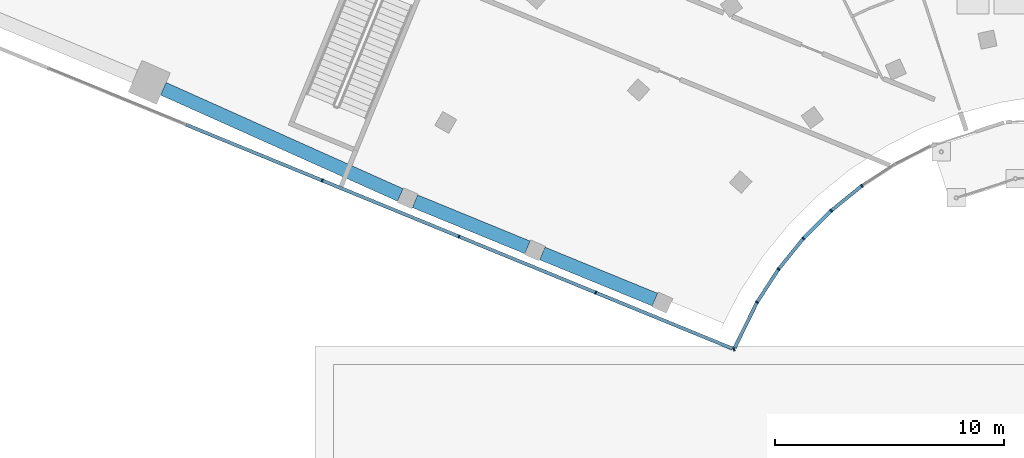
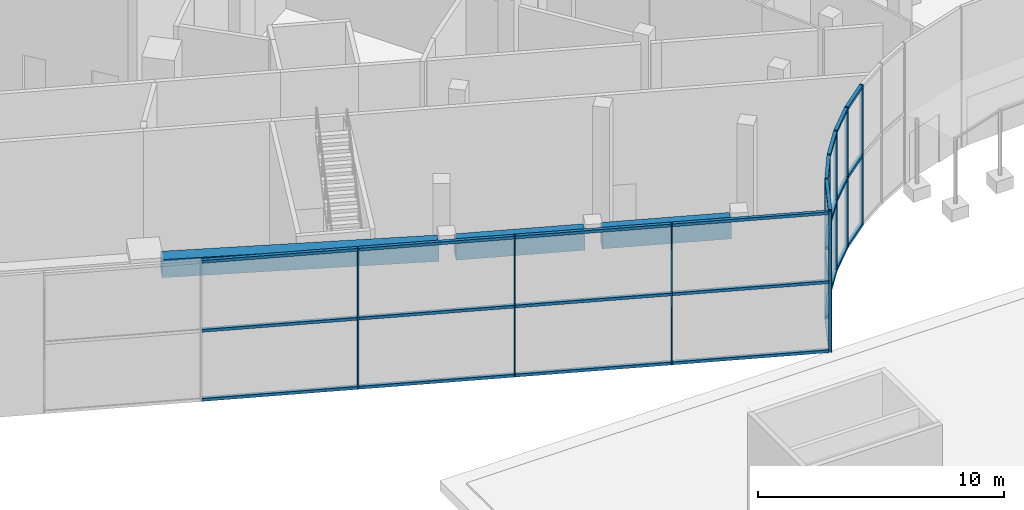
# One storey, part 9 of 60: 36 members, 3 beams, 2 elements without a shape of their own.
"""IFC4 building model written with IfcOpenShell, lengths in metres."""

from ifc_helpers import new_model, si_unit, direction, frame, origin, origin_2d, place, context, subcontext, project, spatial, rectangle, extrude, material, layer, layer_set, material_profile, profile_set, type_object, element, aggregate, save


model = new_model("IFC4")

# Units and contexts
model_context = context("Model", 3, precision=1e-05, world=origin(), true_north=direction((0.0, 1.0)))
body_context = subcontext(model_context, "Body", "Model", "MODEL_VIEW")
ifc_project = project(units=[si_unit("LENGTHUNIT", "METRE"), si_unit("AREAUNIT", "SQUARE_METRE"), si_unit("VOLUMEUNIT", "CUBIC_METRE"), si_unit("PLANEANGLEUNIT", "RADIAN"), si_unit("MASSUNIT", "GRAM", prefix="KILO")], contexts=[model_context])

# Site, building, storey
site_placement = place(None, origin())
site = spatial("IfcSite", under=ifc_project, at=site_placement, CompositionType="ELEMENT")
building_placement = place(site_placement, origin())
building = spatial("IfcBuilding", under=site, at=building_placement, Name="Stone Belt Terrace Tower", CompositionType="ELEMENT")
storey_placement = place(building_placement, origin())
storey = spatial("IfcBuildingStorey", under=building, at=storey_placement, Name="L00", CompositionType="ELEMENT", Elevation=0.0)

# Curtain wall, members
ifc_material_1 = material(Name="Aluminium 6063-T6 anodised frame", Category="aluminium")
ifc_layer = layer(ifc_material_1, 0.14990234375)
ifc_layer_set = layer_set([ifc_layer], Name="CW-D podium shopfront")
curtain_wall_type = type_object("IfcCurtainWallType", Name="CW-D podium shopfront", PredefinedType="NOTDEFINED", material=ifc_layer_set)
curtain_wall_1_placement = place(storey_placement, origin())
curtain_wall_1 = element("IfcCurtainWall", 1, at=curtain_wall_1_placement, inside=storey, type_object=curtain_wall_type, Name="CW-D concave face L00", PredefinedType="NOTDEFINED")
ifc_material_profile_1 = material_profile(ifc_material_1, rectangle(XDim=0.14990234375, YDim=0.06005859375, at=origin_2d()), Name="Aluminium 6063-T6 60x150")
ifc_profile_set_1 = profile_set([ifc_material_profile_1], Name="Aluminium 6063-T6 anodised frame")
member_type_1 = type_object("IfcMemberType", Name="CW-D mullion 60 x 150", PredefinedType="MULLION", material=ifc_profile_set_1)
member_1_placement = place(storey_placement, frame((-15.23095703125, 6.16162109375, 0.0), z_axis=(0.0, 0.0, 1.0), x_axis=(-0.354860507923, 0.934919258501, 0.0)))
member_1 = element("IfcMember", 2, at=member_1_placement, type_object=member_type_1, Name="CW-D mullion 1", PredefinedType="MULLION", context=body_context, shape_type="SweptSolid", body=[
    extrude(rectangle(XDim=0.14990234375, YDim=0.06005859375, at=origin_2d()), origin(), (0.0, 0.0, 1.0), 7.0),
])
member_2_placement = place(storey_placement, frame((-14.22412109375, 8.212890625, 0.0), z_axis=(0.0, 0.0, 1.0), x_axis=(-0.869738782258, 0.493512361179, 0.0)))
member_2 = element("IfcMember", 3, at=member_2_placement, type_object=member_type_1, Name="CW-D mullion 2", PredefinedType="MULLION", context=body_context, shape_type="SweptSolid", body=[
    extrude(rectangle(XDim=0.14990234375, YDim=0.06005859375, at=origin_2d()), origin(), (0.0, 0.0, 1.0), 7.0),
])
member_3_placement = place(storey_placement, frame((-13.2880859375, 9.654296875, 0.0), z_axis=(0.0, 0.0, 1.0), x_axis=(-0.809016994375, 0.587785252292, 0.0)))
member_3 = element("IfcMember", 4, at=member_3_placement, type_object=member_type_1, Name="CW-D mullion 3", PredefinedType="MULLION", context=body_context, shape_type="SweptSolid", body=[
    extrude(rectangle(XDim=0.14990234375, YDim=0.06005859375, at=origin_2d()), origin(), (0.0, 0.0, 1.0), 7.0),
])
member_4_placement = place(storey_placement, frame((-12.2060546875, 10.990478515625, 0.0), z_axis=(0.0, 0.0, 1.0), x_axis=(-0.743144825477, 0.669130606359, 0.0)))
member_4 = element("IfcMember", 5, at=member_4_placement, type_object=member_type_1, Name="CW-D mullion 4", PredefinedType="MULLION", context=body_context, shape_type="SweptSolid", body=[
    extrude(rectangle(XDim=0.14990234375, YDim=0.06005859375, at=origin_2d()), origin(), (0.0, 0.0, 1.0), 7.0),
])
member_5_placement = place(storey_placement, frame((-10.990478515625, 12.2060546875, 0.0), z_axis=(0.0, 0.0, 1.0), x_axis=(-0.669130606359, 0.743144825477, 0.0)))
member_5 = element("IfcMember", 6, at=member_5_placement, type_object=member_type_1, Name="CW-D mullion 5", PredefinedType="MULLION", context=body_context, shape_type="SweptSolid", body=[
    extrude(rectangle(XDim=0.14990234375, YDim=0.06005859375, at=origin_2d()), origin(), (0.0, 0.0, 1.0), 7.0),
])
member_6_placement = place(storey_placement, frame((-9.654296875, 13.2880859375, 0.0), z_axis=(0.0, 0.0, 1.0), x_axis=(-0.587785252292, 0.809016994375, 0.0)))
member_6 = element("IfcMember", 7, at=member_6_placement, type_object=member_type_1, Name="CW-D mullion 6", PredefinedType="MULLION", context=body_context, shape_type="SweptSolid", body=[
    extrude(rectangle(XDim=0.14990234375, YDim=0.06005859375, at=origin_2d()), origin(), (0.0, 0.0, 1.0), 7.0),
])

curtain_wall_2_placement = place(storey_placement, origin())
curtain_wall_2 = element("IfcCurtainWall", 8, at=curtain_wall_2_placement, inside=storey, type_object=curtain_wall_type, Name="CW-D end face L00", PredefinedType="NOTDEFINED")
member_7_placement = place(storey_placement, frame((-33.184814453125, 13.520263671875, 0.0), z_axis=(0.0, 0.0, 1.0), x_axis=(0.379243093825, 0.925297074342, 0.0)))
member_7 = element("IfcMember", 9, at=member_7_placement, type_object=member_type_1, Name="CW-D mullion 7", PredefinedType="MULLION", context=body_context, shape_type="SweptSolid", body=[
    extrude(rectangle(XDim=0.14990234375, YDim=0.06005859375, at=origin_2d()), origin(), (0.0, 0.0, 1.0), 7.0),
])
member_8_placement = place(storey_placement, frame((-27.221923828125, 11.076171875, 0.0), z_axis=(0.0, 0.0, 1.0), x_axis=(0.379243093825, 0.925297074342, 0.0)))
member_8 = element("IfcMember", 10, at=member_8_placement, type_object=member_type_1, Name="CW-D mullion 8", PredefinedType="MULLION", context=body_context, shape_type="SweptSolid", body=[
    extrude(rectangle(XDim=0.14990234375, YDim=0.06005859375, at=origin_2d()), origin(), (0.0, 0.0, 1.0), 7.0),
])
member_9_placement = place(storey_placement, frame((-21.2587890625, 8.632080078125, 0.0), z_axis=(0.0, 0.0, 1.0), x_axis=(0.379243093825, 0.925297074342, 0.0)))
member_9 = element("IfcMember", 11, at=member_9_placement, type_object=member_type_1, Name="CW-D mullion 9", PredefinedType="MULLION", context=body_context, shape_type="SweptSolid", body=[
    extrude(rectangle(XDim=0.14990234375, YDim=0.06005859375, at=origin_2d()), origin(), (0.0, 0.0, 1.0), 7.0),
])

# Member
ifc_material_profile_2 = material_profile(ifc_material_1, rectangle(XDim=0.14990234375, YDim=0.139892578125, at=origin_2d()), Name="Aluminium 6063-T6 150x140")
ifc_profile_set_2 = profile_set([ifc_material_profile_2], Name="Aluminium 6063-T6 anodised frame")
member_type_2 = type_object("IfcMemberType", Name="CW-D transom 140 x 150", PredefinedType="USERDEFINED", material=ifc_profile_set_2)
member_10_placement = place(storey_placement, frame((-15.19873046875, 6.227294921875, 0.070068359375), z_axis=(0.44060912848, 0.897699056422, 0.0), x_axis=(-0.897699056422, 0.44060912848, 0.0)))
member_10 = element("IfcMember", 12, at=member_10_placement, type_object=member_type_2, Name="CW-D transom 1.1", ObjectType="TRANSOM", PredefinedType="USERDEFINED", context=body_context, shape_type="SweptSolid", body=[
    extrude(rectangle(XDim=0.14990234375, YDim=0.139892578125, at=origin_2d()), origin(), (0.0, 0.0, 1.0), 2.177490234375),
])

member_11_placement = place(storey_placement, frame((-15.19873046875, 6.227294921875, 3.5), z_axis=(0.44060912848, 0.897699056422, 0.0), x_axis=(-0.897699056422, 0.44060912848, 0.0)))
member_11 = element("IfcMember", 13, at=member_11_placement, type_object=member_type_2, Name="CW-D transom 1.2", ObjectType="TRANSOM", PredefinedType="USERDEFINED", context=body_context, shape_type="SweptSolid", body=[
    extrude(rectangle(XDim=0.14990234375, YDim=0.139892578125, at=origin_2d()), origin(), (0.0, 0.0, 1.0), 2.177490234375),
])

member_12_placement = place(storey_placement, frame((-15.19873046875, 6.227294921875, 6.929931640625), z_axis=(0.44060912848, 0.897699056422, 0.0), x_axis=(-0.897699056422, 0.44060912848, 0.0)))
member_12 = element("IfcMember", 14, at=member_12_placement, type_object=member_type_2, Name="CW-D transom 1.3", ObjectType="TRANSOM", PredefinedType="USERDEFINED", context=body_context, shape_type="SweptSolid", body=[
    extrude(rectangle(XDim=0.14990234375, YDim=0.139892578125, at=origin_2d()), origin(), (0.0, 0.0, 1.0), 2.177490234375),
])

member_13_placement = place(storey_placement, frame((-14.205322265625, 8.24169921875, 0.070068359375), z_axis=(0.544624359877, 0.838680097909, 0.0), x_axis=(-0.838680097909, 0.544624359877, 0.0)))
member_13 = element("IfcMember", 15, at=member_13_placement, type_object=member_type_2, Name="CW-D transom 2.1", ObjectType="TRANSOM", PredefinedType="USERDEFINED", context=body_context, shape_type="SweptSolid", body=[
    extrude(rectangle(XDim=0.14990234375, YDim=0.139892578125, at=origin_2d()), origin(), (0.0, 0.0, 1.0), 1.650634765625),
])

member_14_placement = place(storey_placement, frame((-14.205322265625, 8.24169921875, 3.5), z_axis=(0.544624359877, 0.838680097909, 0.0), x_axis=(-0.838680097909, 0.544624359877, 0.0)))
member_14 = element("IfcMember", 16, at=member_14_placement, type_object=member_type_2, Name="CW-D transom 2.2", ObjectType="TRANSOM", PredefinedType="USERDEFINED", context=body_context, shape_type="SweptSolid", body=[
    extrude(rectangle(XDim=0.14990234375, YDim=0.139892578125, at=origin_2d()), origin(), (0.0, 0.0, 1.0), 1.650634765625),
])

member_15_placement = place(storey_placement, frame((-14.205322265625, 8.24169921875, 6.929931640625), z_axis=(0.544624359877, 0.838680097909, 0.0), x_axis=(-0.838680097909, 0.544624359877, 0.0)))
member_15 = element("IfcMember", 17, at=member_15_placement, type_object=member_type_2, Name="CW-D transom 2.3", ObjectType="TRANSOM", PredefinedType="USERDEFINED", context=body_context, shape_type="SweptSolid", body=[
    extrude(rectangle(XDim=0.14990234375, YDim=0.139892578125, at=origin_2d()), origin(), (0.0, 0.0, 1.0), 1.650634765625),
])

member_16_placement = place(storey_placement, frame((-13.2666015625, 9.6806640625, 0.070068359375), z_axis=(0.629317296255, 0.777148467562, 0.0), x_axis=(-0.777148467562, 0.629317296255, 0.0)))
member_16 = element("IfcMember", 18, at=member_16_placement, type_object=member_type_2, Name="CW-D transom 3.1", ObjectType="TRANSOM", PredefinedType="USERDEFINED", context=body_context, shape_type="SweptSolid", body=[
    extrude(rectangle(XDim=0.14990234375, YDim=0.139892578125, at=origin_2d()), origin(), (0.0, 0.0, 1.0), 1.6513671875),
])

member_17_placement = place(storey_placement, frame((-13.2666015625, 9.6806640625, 3.5), z_axis=(0.629317296255, 0.777148467562, 0.0), x_axis=(-0.777148467562, 0.629317296255, 0.0)))
member_17 = element("IfcMember", 19, at=member_17_placement, type_object=member_type_2, Name="CW-D transom 3.2", ObjectType="TRANSOM", PredefinedType="USERDEFINED", context=body_context, shape_type="SweptSolid", body=[
    extrude(rectangle(XDim=0.14990234375, YDim=0.139892578125, at=origin_2d()), origin(), (0.0, 0.0, 1.0), 1.6513671875),
])

member_18_placement = place(storey_placement, frame((-13.2666015625, 9.6806640625, 6.929931640625), z_axis=(0.629317296255, 0.777148467562, 0.0), x_axis=(-0.777148467562, 0.629317296255, 0.0)))
member_18 = element("IfcMember", 20, at=member_18_placement, type_object=member_type_2, Name="CW-D transom 3.3", ObjectType="TRANSOM", PredefinedType="USERDEFINED", context=body_context, shape_type="SweptSolid", body=[
    extrude(rectangle(XDim=0.14990234375, YDim=0.139892578125, at=origin_2d()), origin(), (0.0, 0.0, 1.0), 1.6513671875),
])

member_19_placement = place(storey_placement, frame((-12.18212890625, 11.014404296875, 0.070068359375), z_axis=(0.707106781187, 0.707106781187, 0.0), x_axis=(-0.707106781187, 0.707106781187, 0.0)))
member_19 = element("IfcMember", 21, at=member_19_placement, type_object=member_type_2, Name="CW-D transom 4.1", ObjectType="TRANSOM", PredefinedType="USERDEFINED", context=body_context, shape_type="SweptSolid", body=[
    extrude(rectangle(XDim=0.14990234375, YDim=0.139892578125, at=origin_2d()), origin(), (0.0, 0.0, 1.0), 1.6513671875),
])

member_20_placement = place(storey_placement, frame((-12.18212890625, 11.014404296875, 3.5), z_axis=(0.707106781187, 0.707106781187, 0.0), x_axis=(-0.707106781187, 0.707106781187, 0.0)))
member_20 = element("IfcMember", 22, at=member_20_placement, type_object=member_type_2, Name="CW-D transom 4.2", ObjectType="TRANSOM", PredefinedType="USERDEFINED", context=body_context, shape_type="SweptSolid", body=[
    extrude(rectangle(XDim=0.14990234375, YDim=0.139892578125, at=origin_2d()), origin(), (0.0, 0.0, 1.0), 1.6513671875),
])

member_21_placement = place(storey_placement, frame((-12.18212890625, 11.014404296875, 6.929931640625), z_axis=(0.707106781187, 0.707106781187, 0.0), x_axis=(-0.707106781187, 0.707106781187, 0.0)))
member_21 = element("IfcMember", 23, at=member_21_placement, type_object=member_type_2, Name="CW-D transom 4.3", ObjectType="TRANSOM", PredefinedType="USERDEFINED", context=body_context, shape_type="SweptSolid", body=[
    extrude(rectangle(XDim=0.14990234375, YDim=0.139892578125, at=origin_2d()), origin(), (0.0, 0.0, 1.0), 1.6513671875),
])

member_22_placement = place(storey_placement, frame((-10.964111328125, 12.227294921875, 0.070068359375), z_axis=(0.777148467562, 0.629317296255, 0.0), x_axis=(-0.629317296255, 0.777148467562, 0.0)))
member_22 = element("IfcMember", 24, at=member_22_placement, type_object=member_type_2, Name="CW-D transom 5.1", ObjectType="TRANSOM", PredefinedType="USERDEFINED", context=body_context, shape_type="SweptSolid", body=[
    extrude(rectangle(XDim=0.14990234375, YDim=0.139892578125, at=origin_2d()), origin(), (0.0, 0.0, 1.0), 1.6513671875),
])

member_23_placement = place(storey_placement, frame((-10.964111328125, 12.227294921875, 3.5), z_axis=(0.777148467562, 0.629317296255, 0.0), x_axis=(-0.629317296255, 0.777148467562, 0.0)))
member_23 = element("IfcMember", 25, at=member_23_placement, type_object=member_type_2, Name="CW-D transom 5.2", ObjectType="TRANSOM", PredefinedType="USERDEFINED", context=body_context, shape_type="SweptSolid", body=[
    extrude(rectangle(XDim=0.14990234375, YDim=0.139892578125, at=origin_2d()), origin(), (0.0, 0.0, 1.0), 1.6513671875),
])

member_24_placement = place(storey_placement, frame((-10.964111328125, 12.227294921875, 6.929931640625), z_axis=(0.777148467562, 0.629317296255, 0.0), x_axis=(-0.629317296255, 0.777148467562, 0.0)))
member_24 = element("IfcMember", 26, at=member_24_placement, type_object=member_type_2, Name="CW-D transom 5.3", ObjectType="TRANSOM", PredefinedType="USERDEFINED", context=body_context, shape_type="SweptSolid", body=[
    extrude(rectangle(XDim=0.14990234375, YDim=0.139892578125, at=origin_2d()), origin(), (0.0, 0.0, 1.0), 1.6513671875),
])

aggregate(curtain_wall_1, [member_1, member_2, member_3, member_4, member_5, member_6, member_10, member_11, member_12, member_13, member_14, member_15, member_16, member_17, member_18, member_19, member_20, member_21, member_22, member_23, member_24])

member_25_placement = place(storey_placement, frame((-39.1201171875, 15.952880859375, 0.070068359375), z_axis=(0.92528907992, -0.379262598448, 0.0), x_axis=(0.379262598448, 0.92528907992, 0.0)))
member_25 = element("IfcMember", 27, at=member_25_placement, type_object=member_type_2, Name="CW-D transom 6.1", ObjectType="TRANSOM", PredefinedType="USERDEFINED", context=body_context, shape_type="SweptSolid", body=[
    extrude(rectangle(XDim=0.14990234375, YDim=0.139892578125, at=origin_2d()), origin(), (0.0, 0.0, 1.0), 6.384521484375),
])

member_26_placement = place(storey_placement, frame((-39.1201171875, 15.952880859375, 3.5), z_axis=(0.92528907992, -0.379262598448, 0.0), x_axis=(0.379262598448, 0.92528907992, 0.0)))
member_26 = element("IfcMember", 28, at=member_26_placement, type_object=member_type_2, Name="CW-D transom 6.2", ObjectType="TRANSOM", PredefinedType="USERDEFINED", context=body_context, shape_type="SweptSolid", body=[
    extrude(rectangle(XDim=0.14990234375, YDim=0.139892578125, at=origin_2d()), origin(), (0.0, 0.0, 1.0), 6.384521484375),
])

member_27_placement = place(storey_placement, frame((-39.1201171875, 15.952880859375, 6.929931640625), z_axis=(0.92528907992, -0.379262598448, 0.0), x_axis=(0.379262598448, 0.92528907992, 0.0)))
member_27 = element("IfcMember", 29, at=member_27_placement, type_object=member_type_2, Name="CW-D transom 6.3", ObjectType="TRANSOM", PredefinedType="USERDEFINED", context=body_context, shape_type="SweptSolid", body=[
    extrude(rectangle(XDim=0.14990234375, YDim=0.139892578125, at=origin_2d()), origin(), (0.0, 0.0, 1.0), 6.384521484375),
])

member_28_placement = place(storey_placement, frame((-33.1572265625, 13.5087890625, 0.070068359375), z_axis=(0.92528907992, -0.379262598448, 0.0), x_axis=(0.379262598448, 0.92528907992, 0.0)))
member_28 = element("IfcMember", 30, at=member_28_placement, type_object=member_type_2, Name="CW-D transom 7.1", ObjectType="TRANSOM", PredefinedType="USERDEFINED", context=body_context, shape_type="SweptSolid", body=[
    extrude(rectangle(XDim=0.14990234375, YDim=0.139892578125, at=origin_2d()), origin(), (0.0, 0.0, 1.0), 6.384521484375),
])

member_29_placement = place(storey_placement, frame((-33.1572265625, 13.5087890625, 3.5), z_axis=(0.92528907992, -0.379262598448, 0.0), x_axis=(0.379262598448, 0.92528907992, 0.0)))
member_29 = element("IfcMember", 31, at=member_29_placement, type_object=member_type_2, Name="CW-D transom 7.2", ObjectType="TRANSOM", PredefinedType="USERDEFINED", context=body_context, shape_type="SweptSolid", body=[
    extrude(rectangle(XDim=0.14990234375, YDim=0.139892578125, at=origin_2d()), origin(), (0.0, 0.0, 1.0), 6.384521484375),
])

member_30_placement = place(storey_placement, frame((-33.1572265625, 13.5087890625, 6.929931640625), z_axis=(0.92528907992, -0.379262598448, 0.0), x_axis=(0.379262598448, 0.92528907992, 0.0)))
member_30 = element("IfcMember", 32, at=member_30_placement, type_object=member_type_2, Name="CW-D transom 7.3", ObjectType="TRANSOM", PredefinedType="USERDEFINED", context=body_context, shape_type="SweptSolid", body=[
    extrude(rectangle(XDim=0.14990234375, YDim=0.139892578125, at=origin_2d()), origin(), (0.0, 0.0, 1.0), 6.384521484375),
])

member_31_placement = place(storey_placement, frame((-27.194091796875, 11.064697265625, 0.070068359375), z_axis=(0.925302498943, -0.37922985833, 0.0), x_axis=(0.37922985833, 0.925302498943, 0.0)))
member_31 = element("IfcMember", 33, at=member_31_placement, type_object=member_type_2, Name="CW-D transom 8.1", ObjectType="TRANSOM", PredefinedType="USERDEFINED", context=body_context, shape_type="SweptSolid", body=[
    extrude(rectangle(XDim=0.14990234375, YDim=0.139892578125, at=origin_2d()), origin(), (0.0, 0.0, 1.0), 6.38427734375),
])

member_32_placement = place(storey_placement, frame((-27.194091796875, 11.064697265625, 3.5), z_axis=(0.925302498943, -0.37922985833, 0.0), x_axis=(0.37922985833, 0.925302498943, 0.0)))
member_32 = element("IfcMember", 34, at=member_32_placement, type_object=member_type_2, Name="CW-D transom 8.2", ObjectType="TRANSOM", PredefinedType="USERDEFINED", context=body_context, shape_type="SweptSolid", body=[
    extrude(rectangle(XDim=0.14990234375, YDim=0.139892578125, at=origin_2d()), origin(), (0.0, 0.0, 1.0), 6.38427734375),
])

member_33_placement = place(storey_placement, frame((-27.194091796875, 11.064697265625, 6.929931640625), z_axis=(0.925302498943, -0.37922985833, 0.0), x_axis=(0.37922985833, 0.925302498943, 0.0)))
member_33 = element("IfcMember", 35, at=member_33_placement, type_object=member_type_2, Name="CW-D transom 8.3", ObjectType="TRANSOM", PredefinedType="USERDEFINED", context=body_context, shape_type="SweptSolid", body=[
    extrude(rectangle(XDim=0.14990234375, YDim=0.139892578125, at=origin_2d()), origin(), (0.0, 0.0, 1.0), 6.38427734375),
])

member_34_placement = place(storey_placement, frame((-21.231201171875, 8.620849609375, 0.070068359375), z_axis=(0.925291995724, -0.379255484667, 0.0), x_axis=(0.379255484667, 0.925291995724, 0.0)))
member_34 = element("IfcMember", 36, at=member_34_placement, type_object=member_type_2, Name="CW-D transom 9.1", ObjectType="TRANSOM", PredefinedType="USERDEFINED", context=body_context, shape_type="SweptSolid", body=[
    extrude(rectangle(XDim=0.14990234375, YDim=0.139892578125, at=origin_2d()), origin(), (0.0, 0.0, 1.0), 6.41162109375),
])

member_35_placement = place(storey_placement, frame((-21.231201171875, 8.620849609375, 3.5), z_axis=(0.925291995724, -0.379255484667, 0.0), x_axis=(0.379255484667, 0.925291995724, 0.0)))
member_35 = element("IfcMember", 37, at=member_35_placement, type_object=member_type_2, Name="CW-D transom 9.2", ObjectType="TRANSOM", PredefinedType="USERDEFINED", context=body_context, shape_type="SweptSolid", body=[
    extrude(rectangle(XDim=0.14990234375, YDim=0.139892578125, at=origin_2d()), origin(), (0.0, 0.0, 1.0), 6.41162109375),
])

member_36_placement = place(storey_placement, frame((-21.231201171875, 8.620849609375, 6.929931640625), z_axis=(0.925291995724, -0.379255484667, 0.0), x_axis=(0.379255484667, 0.925291995724, 0.0)))
member_36 = element("IfcMember", 38, at=member_36_placement, type_object=member_type_2, Name="CW-D transom 9.3", ObjectType="TRANSOM", PredefinedType="USERDEFINED", context=body_context, shape_type="SweptSolid", body=[
    extrude(rectangle(XDim=0.14990234375, YDim=0.139892578125, at=origin_2d()), origin(), (0.0, 0.0, 1.0), 6.41162109375),
])

aggregate(curtain_wall_2, [member_7, member_8, member_9, member_25, member_26, member_27, member_28, member_29, member_30, member_31, member_32, member_33, member_34, member_35, member_36])

# Beams
ifc_material_2 = material(Name="Concrete B60", Category="concrete")
ifc_material_profile_3 = material_profile(ifc_material_2, rectangle(XDim=0.60009765625, YDim=0.89990234375, at=origin_2d()), Name="RC 600x900")
ifc_profile_set_3 = profile_set([ifc_material_profile_3], Name="Concrete B60")
beam_type = type_object("IfcBeamType", Name="Edge beam RC 600x900 B60", PredefinedType="SPANDREL", material=ifc_profile_set_3)
beam_1_placement = place(storey_placement, frame((-18.678466796875, 8.32568359375, 6.14990234375), z_axis=(-0.925315733574, 0.379197564866, 0.0), x_axis=(-0.379197564866, -0.925315733574, 0.0)))
element("IfcBeam", 39, at=beam_1_placement, inside=storey, type_object=beam_type, Name="Edge beam L00 A M to N", PredefinedType="SPANDREL", context=body_context, shape_type="SweptSolid", body=[
    extrude(rectangle(XDim=0.60009765625, YDim=0.89990234375, at=origin_2d()), origin(), (0.0, 0.0, 1.0), 5.302001953125),
])
beam_2_placement = place(storey_placement, frame((-24.232421875, 10.601806640625, 6.14990234375), z_axis=(-0.925289242227, 0.379262202466, 0.0), x_axis=(-0.379262202466, -0.925289242227, 0.0)))
element("IfcBeam", 40, at=beam_2_placement, inside=storey, type_object=beam_type, Name="Edge beam L00 A N to O", PredefinedType="SPANDREL", context=body_context, shape_type="SweptSolid", body=[
    extrude(rectangle(XDim=0.60009765625, YDim=0.89990234375, at=origin_2d()), origin(), (0.0, 0.0, 1.0), 5.301025390625),
])
beam_3_placement = place(storey_placement, frame((-29.78076171875, 12.88818359375, 6.14990234375), z_axis=(-0.91252459094, 0.409021846519, 0.0), x_axis=(-0.409021846519, -0.91252459094, 0.0)))
element("IfcBeam", 41, at=beam_3_placement, inside=storey, type_object=beam_type, Name="Edge beam L00 A O to P", PredefinedType="SPANDREL", context=body_context, shape_type="SweptSolid", body=[
    extrude(rectangle(XDim=0.60009765625, YDim=0.89990234375, at=origin_2d()), origin(), (0.0, 0.0, 1.0), 11.320556640625),
])

save(model, "model.ifc")
